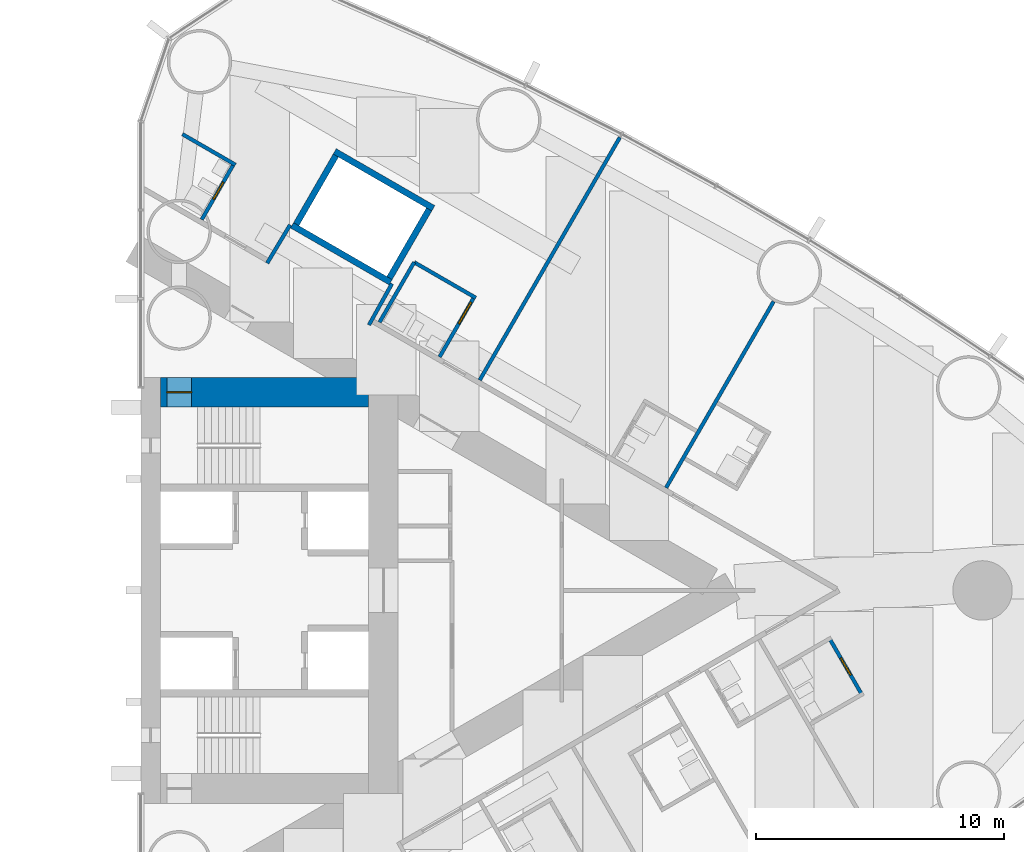
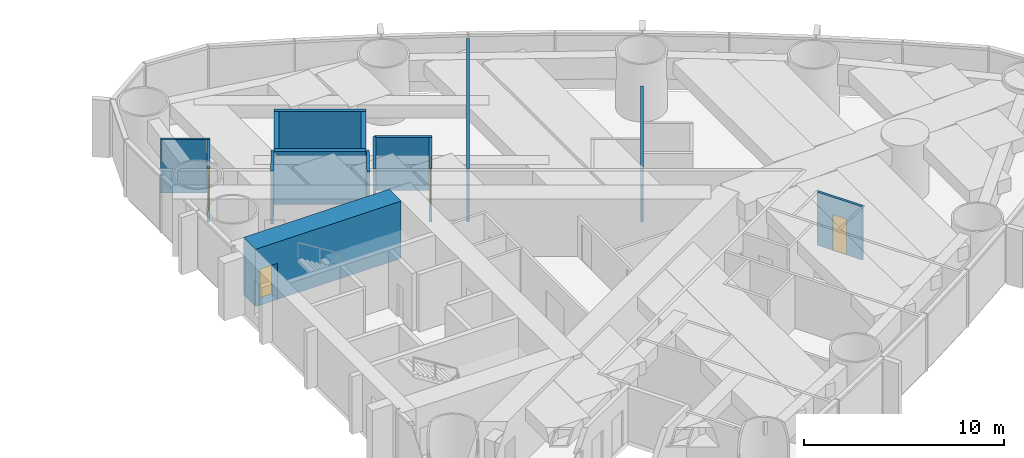
# One storey, part 16 of 19: 15 walls, 4 doors, 4 openings.
"""IFC4 building model written with IfcOpenShell, lengths in metres."""

from ifc_helpers import new_model, si_unit, direction, frame, frame_2d, origin, place, context, subcontext, project, spatial, rectangle, extrude, material, layer, layer_set, type_object, element, fill, save


model = new_model("IFC4")

# Units and contexts
model_context = context("Model", 3, precision=1e-05, world=origin(), true_north=direction((0.0, 1.0)))
body_context = subcontext(model_context, "Body", "Model", "MODEL_VIEW")
ifc_project = project(units=[si_unit("LENGTHUNIT", "METRE"), si_unit("AREAUNIT", "SQUARE_METRE"), si_unit("VOLUMEUNIT", "CUBIC_METRE"), si_unit("PLANEANGLEUNIT", "RADIAN"), si_unit("MASSUNIT", "GRAM", prefix="KILO")], contexts=[model_context])

# Site, building, storey
site_placement = place(None, origin())
site = spatial("IfcSite", under=ifc_project, at=site_placement, CompositionType="ELEMENT")
building_placement = place(site_placement, origin())
building = spatial("IfcBuilding", under=site, at=building_placement, Name="Lancet Gate Hotel", CompositionType="ELEMENT")
storey_placement = place(building_placement, frame((0.0, 0.0, 90.60009765625)))
storey = spatial("IfcBuildingStorey", under=building, at=storey_placement, Name="L23", CompositionType="ELEMENT", Elevation=90.60009765625)

# Wall, opening, door
ifc_material_1 = material(Name="Moisture resistant board partition")
ifc_layer_1 = layer(ifc_material_1, 0.14990234375)
ifc_layer_set_1 = layer_set([ifc_layer_1], Name="Bathroom wall 150")
wall_type_1 = type_object("IfcWallType", Name="Bathroom wall 150", PredefinedType="PARTITIONING", material=ifc_layer_set_1)
wall_1_placement = place(storey_placement, frame((55.32470703125, -1.949951171875, 0.0), z_axis=(0.0, 0.0, 1.0), x_axis=(0.500006934395, -0.866021400173, 0.0)))
wall_1 = element("IfcWall", 1, at=wall_1_placement, inside=storey, type_object=wall_type_1, Name="T2 bathroom wall 150 L23", PredefinedType="PARTITIONING", context=body_context, shape_type="SweptSolid", body=[
    extrude(rectangle(XDim=2.60009765625, YDim=0.14990234375, at=frame_2d((1.300048828125, 0.0))), origin(), (0.0, 0.0, 1.0), 3.25),
])
opening_1_placement = place(wall_1_placement, frame((0.89990234375, 0.0, 0.0)))
opening_1 = element("IfcOpeningElement", 2, at=opening_1_placement, cuts=wall_1, Name="Opening 2357-B", PredefinedType="OPENING", context=body_context, shape_type="SweptSolid", body=[
    extrude(rectangle(XDim=0.800048828125, YDim=2.199951171875, at=frame_2d((0.39990234375, 1.10009765625))), frame((0.0, 0.0849609375, 0.0), z_axis=(0.0, -1.0, 0.0), x_axis=(1.0, 0.0, 0.0)), (0.0, 0.0, 1.0), 0.169921875),
])
ifc_material_2 = material(Name="Timber door set", Category="wood")
door_type_1 = type_object("IfcDoorType", Name="Bathroom door 800", OperationType="SINGLE_SWING_RIGHT", PredefinedType="DOOR", material=ifc_material_2)
door_1_placement = place(opening_1_placement, origin())
door_1 = element("IfcDoor", 3, at=door_1_placement, inside=storey, type_object=door_type_1, Name="2357-B", OperationType="SINGLE_SWING_RIGHT", OverallHeight=2.199951171875, OverallWidth=0.800048828125, PredefinedType="DOOR", context=body_context, shape_type="SweptSolid", body=[
    extrude(rectangle(XDim=0.800048828125, YDim=2.199951171875, at=frame_2d((0.39990234375, 1.10009765625))), frame((0.0, 0.02490234375, 0.0), z_axis=(0.0, -1.0, 0.0), x_axis=(1.0, 0.0, 0.0)), (0.0, 0.0, 1.0), 0.050048828125),
])
fill(opening_1, door_1)

# Wall
wall_2_placement = place(storey_placement, frame((38.5439453125, 13.255126953125, 0.0), z_axis=(0.0, 0.0, 1.0), x_axis=(0.866018712932, -0.500011588718, 0.0)))
element("IfcWall", 4, at=wall_2_placement, inside=storey, type_object=wall_type_1, Name="T2 bathroom wall 150 L23", PredefinedType="PARTITIONING", context=body_context, shape_type="SweptSolid", body=[
    extrude(rectangle(XDim=2.875, YDim=0.14990234375, at=frame_2d((1.4375, 0.0))), origin(), (0.0, 0.0, 1.0), 3.25),
])

# Wall, opening, door
wall_3_placement = place(storey_placement, frame((39.56884765625, 9.43017578125, 0.0), z_axis=(0.0, 0.0, 1.0), x_axis=(0.49998411664, 0.866034573852, 0.0)))
wall_3 = element("IfcWall", 5, at=wall_3_placement, inside=storey, type_object=wall_type_1, Name="T2 bathroom wall 150 L23", PredefinedType="PARTITIONING", context=body_context, shape_type="SweptSolid", body=[
    extrude(rectangle(XDim=2.7998046875, YDim=0.14990234375, at=frame_2d((1.39990234375, 0.0))), origin(), (0.0, 0.0, 1.0), 3.25),
])
opening_2_placement = place(wall_3_placement, frame((1.550048828125, 0.0, 0.0)))
opening_2 = element("IfcOpeningElement", 6, at=opening_2_placement, cuts=wall_3, Name="Opening 2362-B", PredefinedType="OPENING", context=body_context, shape_type="SweptSolid", body=[
    extrude(rectangle(XDim=1.0, YDim=2.199951171875, at=frame_2d((0.5, 1.10009765625))), frame((0.0, 0.0849609375, 0.0), z_axis=(0.0, -1.0, 0.0), x_axis=(1.0, 0.0, 0.0)), (0.0, 0.0, 1.0), 0.169921875),
])
ifc_material_3 = material(Name="Timber door set", Category="wood")
door_type_2 = type_object("IfcDoorType", Name="Accessible en-suite door 1000", OperationType="SINGLE_SWING_RIGHT", PredefinedType="DOOR", material=ifc_material_3)
door_2_placement = place(opening_2_placement, origin())
door_2 = element("IfcDoor", 7, at=door_2_placement, inside=storey, type_object=door_type_2, Name="2362-B", OperationType="SINGLE_SWING_RIGHT", OverallHeight=2.199951171875, OverallWidth=1.0, PredefinedType="DOOR", context=body_context, shape_type="SweptSolid", body=[
    extrude(rectangle(XDim=1.0, YDim=2.199951171875, at=frame_2d((0.5, 1.10009765625))), frame((0.0, 0.02490234375, 0.0), z_axis=(0.0, -1.0, 0.0), x_axis=(1.0, 0.0, 0.0)), (0.0, 0.0, 1.0), 0.050048828125),
])
fill(opening_2, door_2)

# Walls
wall_4_placement = place(storey_placement, frame((37.143798828125, 10.830078125, 0.0), z_axis=(0.0, 0.0, 1.0), x_axis=(0.500011755427, 0.866018616679, 0.0)))
element("IfcWall", 8, at=wall_4_placement, inside=storey, type_object=wall_type_1, Name="T2 bathroom wall 150 L23", PredefinedType="PARTITIONING", context=body_context, shape_type="SweptSolid", body=[
    extrude(rectangle(XDim=2.80029296875, YDim=0.14990234375, at=frame_2d((1.400146484375, 0.0))), origin(), (0.0, 0.0, 1.0), 3.25),
])
wall_5_placement = place(storey_placement, frame((29.181884765625, 18.42919921875, 0.0), z_axis=(0.0, 0.0, 1.0), x_axis=(0.866006523861, -0.500032699561, 0.0)))
element("IfcWall", 9, at=wall_5_placement, inside=storey, type_object=wall_type_1, Name="T2 bathroom wall 150 L23", PredefinedType="PARTITIONING", context=body_context, shape_type="SweptSolid", body=[
    extrude(rectangle(XDim=2.474853515625, YDim=0.14990234375, at=frame_2d((1.2373046875, 0.0))), origin(), (0.0, 0.0, 1.0), 3.25),
])

# Wall, opening, door
wall_6_placement = place(storey_placement, frame((29.960205078125, 14.9775390625, 0.0), z_axis=(0.0, 0.0, 1.0), x_axis=(0.500006934395, 0.866021400173, 0.0)))
wall_6 = element("IfcWall", 10, at=wall_6_placement, inside=storey, type_object=wall_type_1, Name="T2 bathroom wall 150 L23", PredefinedType="PARTITIONING", context=body_context, shape_type="SweptSolid", body=[
    extrude(rectangle(XDim=2.60009765625, YDim=0.14990234375, at=frame_2d((1.300048828125, 0.0))), origin(), (0.0, 0.0, 1.0), 3.25),
])
opening_3_placement = place(wall_6_placement, frame((0.949951171875, 0.0, 0.0)))
opening_3 = element("IfcOpeningElement", 11, at=opening_3_placement, cuts=wall_6, Name="Opening 2364-B", PredefinedType="OPENING", context=body_context, shape_type="SweptSolid", body=[
    extrude(rectangle(XDim=0.800048828125, YDim=2.199951171875, at=frame_2d((0.39990234375, 1.10009765625))), frame((0.0, 0.0849609375, 0.0), z_axis=(0.0, -1.0, 0.0), x_axis=(1.0, 0.0, 0.0)), (0.0, 0.0, 1.0), 0.169921875),
])
door_3_placement = place(opening_3_placement, origin())
door_3 = element("IfcDoor", 12, at=door_3_placement, inside=storey, type_object=door_type_1, Name="2364-B", OperationType="SINGLE_SWING_RIGHT", OverallHeight=2.199951171875, OverallWidth=0.800048828125, PredefinedType="DOOR", context=body_context, shape_type="SweptSolid", body=[
    extrude(rectangle(XDim=0.800048828125, YDim=2.199951171875, at=frame_2d((0.39990234375, 1.10009765625))), frame((0.0, 0.02490234375, 0.0), z_axis=(0.0, -1.0, 0.0), x_axis=(1.0, 0.0, 0.0)), (0.0, 0.0, 1.0), 0.050048828125),
])
fill(opening_3, door_3)

ifc_material_4 = material(Name="Concrete C70/85", Category="concrete")
ifc_layer_2 = layer(ifc_material_4, 1.199951171875)
ifc_layer_set_2 = layer_set([ifc_layer_2], Name="Core wall 1200")
wall_type_2 = type_object("IfcWallType", Name="Core wall 1200", PredefinedType="SHEAR", material=ifc_layer_set_2)
wall_7_placement = place(storey_placement, frame((28.300048828125, 8.0, 0.0), z_axis=(0.0, 0.0, 1.0), x_axis=(1.0, 0.0, 0.0)))
wall_7 = element("IfcWall", 13, at=wall_7_placement, inside=storey, type_object=wall_type_2, Name="T2 core wall side-N L23", PredefinedType="SHEAR", context=body_context, shape_type="SweptSolid", body=[
    extrude(rectangle(XDim=8.39990234375, YDim=1.199951171875, at=frame_2d((4.199951171875, 0.0))), origin(), (0.0, 0.0, 1.0), 3.5),
])
opening_4_placement = place(wall_7_placement, frame((0.25, 0.0, 0.0)))
opening_4 = element("IfcOpeningElement", 14, at=opening_4_placement, cuts=wall_7, Name="Opening T2-L23-ST2", PredefinedType="OPENING", context=body_context, shape_type="SweptSolid", body=[
    extrude(rectangle(XDim=1.0, YDim=2.199951171875, at=frame_2d((0.5, 1.10009765625))), frame((0.0, 0.60986328125, 0.0), z_axis=(0.0, -1.0, 0.0), x_axis=(1.0, 0.0, 0.0)), (0.0, 0.0, 1.0), 1.219970703125),
])
ifc_material_5 = material(Name="Timber door set", Category="wood")
door_type_3 = type_object("IfcDoorType", Name="Stair door 1000", OperationType="SINGLE_SWING_RIGHT", PredefinedType="DOOR", material=ifc_material_5)
door_4_placement = place(opening_4_placement, origin())
door_4 = element("IfcDoor", 15, at=door_4_placement, inside=storey, type_object=door_type_3, Name="T2-L23-ST2", OperationType="SINGLE_SWING_RIGHT", OverallHeight=2.199951171875, OverallWidth=1.0, PredefinedType="DOOR", context=body_context, shape_type="SweptSolid", body=[
    extrude(rectangle(XDim=1.0, YDim=2.199951171875, at=frame_2d((0.5, 1.10009765625))), frame((0.0, 0.02490234375, 0.0), z_axis=(0.0, -1.0, 0.0), x_axis=(1.0, 0.0, 0.0)), (0.0, 0.0, 1.0), 0.050048828125),
])
fill(opening_4, door_4)

# Walls
ifc_material_6 = material(Name="Gypsum board partition")
ifc_layer_3 = layer(ifc_material_6, 0.25)
ifc_layer_set_3 = layer_set([ifc_layer_3], Name="Lift shaft partition 250")
wall_type_3 = type_object("IfcWallType", Name="Lift shaft partition 250", PredefinedType="PARTITIONING", material=ifc_layer_set_3)
for number, where, z_axis, x_axis, name in (
    (16, (33.6083984375, 14.747314453125, 0.0), (0.0, 0.0, 1.0), (0.866043305498, -0.49996899204, 0.0), "T2 lift shaft wall EX L23"),
    (17, (35.33349609375, 17.73583984375, 0.0), (0.0, 0.0, 1.0), (0.866043305498, -0.49996899204, 0.0), "T2 lift shaft wall EX L23"),
):
    element("IfcWall", number, at=place(storey_placement, frame(where, z_axis=z_axis, x_axis=x_axis)), inside=storey, type_object=wall_type_3, Name=name, PredefinedType="PARTITIONING", context=body_context, shape_type="SweptSolid", body=[
        extrude(rectangle(XDim=4.600341796875, YDim=0.25, at=frame_2d((2.30029296875, 0.0))), origin(), (0.0, 0.0, 1.0), 3.25),
    ])
for number, where, z_axis, x_axis, name in (
    (18, (33.779296875, 14.79296875, 0.0), (0.0, 0.0, 1.0), (0.499929347863, 0.866066190972, 0.0), "T2 lift shaft wall EX L23"),
    (19, (37.546630859375, 12.617919921875, 0.0), (0.0, 0.0, 1.0), (0.499929347863, 0.866066190972, 0.0), "T2 lift shaft wall EX L23"),
):
    element("IfcWall", number, at=place(storey_placement, frame(where, z_axis=z_axis, x_axis=x_axis)), inside=storey, type_object=wall_type_3, Name=name, PredefinedType="PARTITIONING", context=body_context, shape_type="SweptSolid", body=[
        extrude(rectangle(XDim=3.20068359375, YDim=0.25, at=frame_2d((1.600341796875, 0.0))), origin(), (0.0, 0.0, 1.0), 3.25),
    ])
ifc_material_7 = material(Name="Gypsum board partition")
ifc_layer_4 = layer(ifc_material_7, 0.14990234375)
ifc_layer_set_4 = layer_set([ifc_layer_4], Name="Party wall 150")
wall_type_4 = type_object("IfcWallType", Name="Party wall 150", PredefinedType="PARTITIONING", material=ifc_layer_set_4)
wall_8_placement = place(storey_placement, frame((41.18994140625, 8.494140625, 0.0), z_axis=(0.0, 0.0, 1.0), x_axis=(0.49999258054, 0.866029687369, 0.0)))
element("IfcWall", 20, at=wall_8_placement, inside=storey, type_object=wall_type_4, Name="T2 party wall 150 L23", PredefinedType="PARTITIONING", context=body_context, shape_type="SweptSolid", body=[
    extrude(rectangle(XDim=11.318115234375, YDim=0.14990234375, at=frame_2d((5.6591796875, 0.0))), origin(), (0.0, 0.0, 1.0), 3.25),
])
wall_9_placement = place(storey_placement, frame((48.718505859375, 4.1474609375, 0.0), z_axis=(0.0, 0.0, 1.0), x_axis=(0.499993328235, 0.866029255696, 0.0)))
element("IfcWall", 21, at=wall_9_placement, inside=storey, type_object=wall_type_4, Name="T2 party wall 150 L23", PredefinedType="PARTITIONING", context=body_context, shape_type="SweptSolid", body=[
    extrude(rectangle(XDim=8.68603515625, YDim=0.14990234375, at=frame_2d((4.343017578125, 0.0))), origin(), (0.0, 0.0, 1.0), 2.199951171875),
])
ifc_material_8 = material(Name="Gypsum board partition")
ifc_layer_5 = layer(ifc_material_8, 0.14990234375)
ifc_layer_set_5 = layer_set([ifc_layer_5], Name="Service room wall 150")
wall_type_5 = type_object("IfcWallType", Name="Service room wall 150", PredefinedType="PARTITIONING", material=ifc_layer_set_5)
wall_10_placement = place(storey_placement, frame((36.718505859375, 10.723388671875, 0.0), z_axis=(0.0, 0.0, 1.0), x_axis=(0.486348184724, 0.87376509613, 0.0)))
element("IfcWall", 22, at=wall_10_placement, inside=storey, type_object=wall_type_5, Name="T2 service room wall 150 L23", PredefinedType="PARTITIONING", context=body_context, shape_type="SweptSolid", body=[
    extrude(rectangle(XDim=1.91015625, YDim=0.14990234375, at=frame_2d((0.955078125, 0.0))), origin(), (0.0, 0.0, 1.0), 3.25),
])
wall_11_placement = place(storey_placement, frame((33.533447265625, 14.767333984375, 0.0), z_axis=(0.0, 0.0, 1.0), x_axis=(-0.514296815006, -0.857612258585, 0.0)))
element("IfcWall", 23, at=wall_11_placement, inside=storey, type_object=wall_type_5, Name="T2 service room wall 150 L23", PredefinedType="PARTITIONING", context=body_context, shape_type="SweptSolid", body=[
    extrude(rectangle(XDim=1.804931640625, YDim=0.14990234375, at=frame_2d((0.90234375, 0.0))), origin(), (0.0, 0.0, 1.0), 3.25),
])

save(model, "model.ifc")
